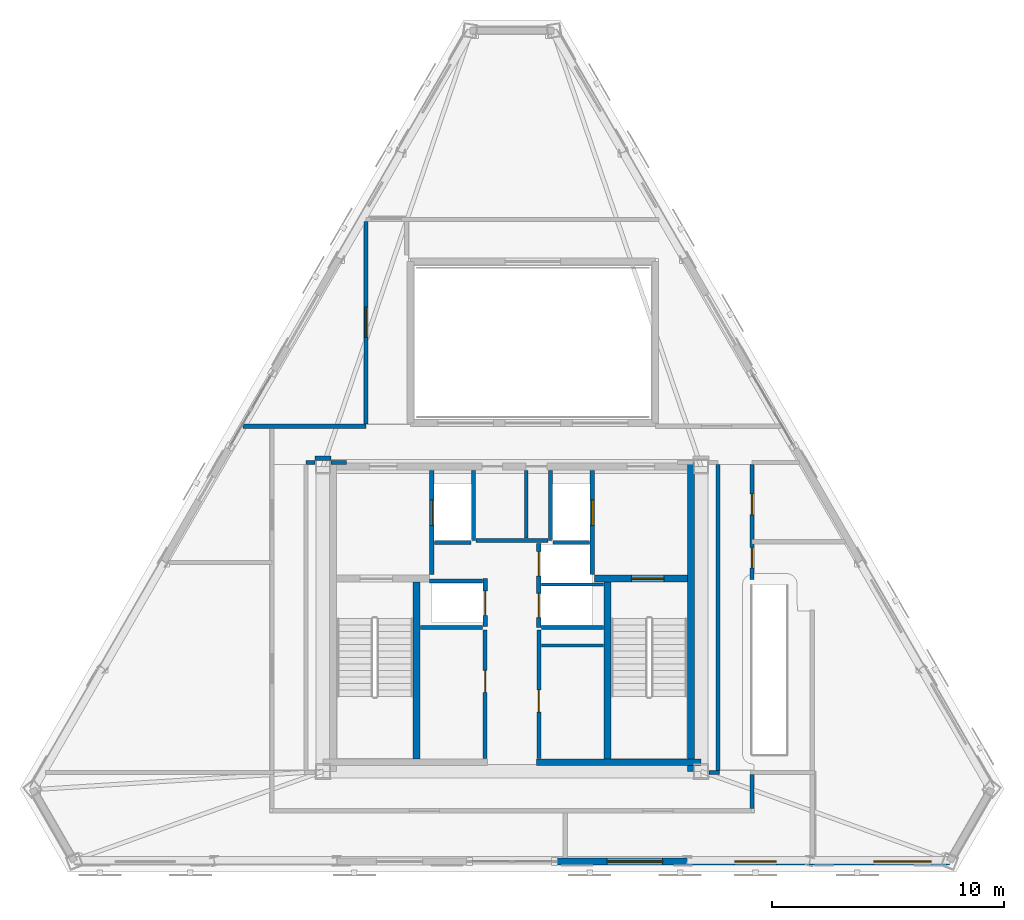
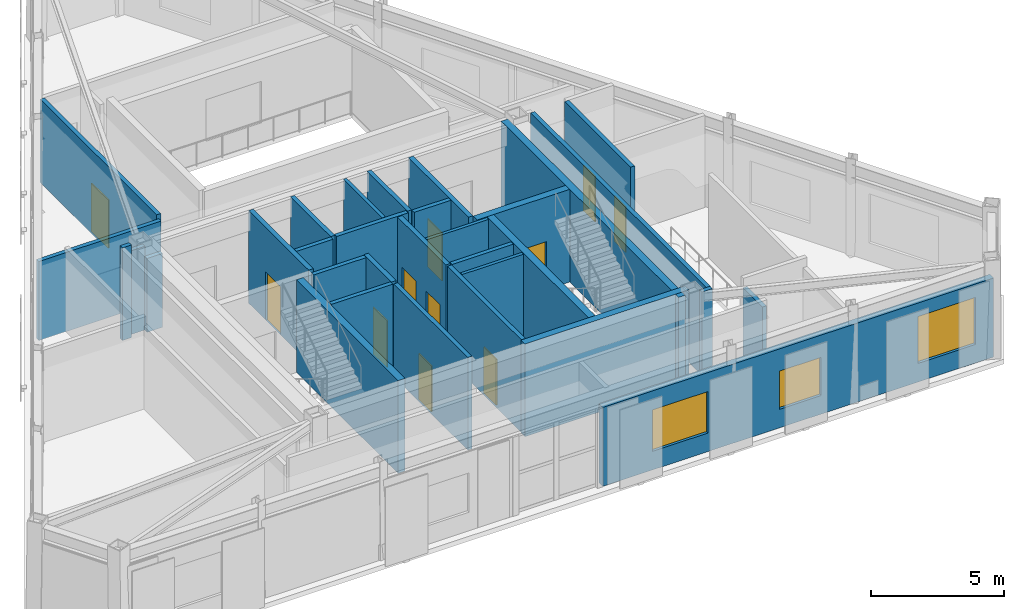
# One storey, part 9 of 14: 32 walls, 11 doors, 3 windows, 14 openings.
"""IFC4 building model written with IfcOpenShell, lengths in metres."""

from ifc_helpers import new_model, si_unit, direction, frame, frame_2d, origin, place, context, subcontext, project, spatial, rectangle, extrude, material, layer, layer_set, type_object, element, fill, save


model = new_model("IFC4")

# Units and contexts
model_context = context("Model", 3, precision=1e-05, world=origin(), true_north=direction((0.0, 1.0)))
body_context = subcontext(model_context, "Body", "Model", "MODEL_VIEW")
ifc_project = project(units=[si_unit("LENGTHUNIT", "METRE"), si_unit("AREAUNIT", "SQUARE_METRE"), si_unit("VOLUMEUNIT", "CUBIC_METRE"), si_unit("PLANEANGLEUNIT", "RADIAN"), si_unit("MASSUNIT", "GRAM", prefix="KILO")], contexts=[model_context])

# Site, building, storey
site_placement = place(None, origin())
site = spatial("IfcSite", under=ifc_project, at=site_placement, CompositionType="ELEMENT")
building_placement = place(site_placement, origin())
building = spatial("IfcBuilding", under=site, at=building_placement, Name="Oramaril Tower", CompositionType="ELEMENT")
storey_placement = place(building_placement, frame((0.0, 0.0, 309.60009765625)))
storey = spatial("IfcBuildingStorey", under=building, at=storey_placement, Name="L81", CompositionType="ELEMENT", Elevation=309.60009765625)

# Wall, openings, windows
ifc_material_1 = material(Name="Warm Cream Limestone", Category="masonry")
ifc_layer_1 = layer(ifc_material_1, 0.2900390625)
ifc_layer_set_1 = layer_set([ifc_layer_1], Name="WT-EXT29")
wall_type_1 = type_object("IfcWallType", Name="WT-EXT29", PredefinedType="SOLIDWALL", material=ifc_layer_set_1)
wall_1_placement = place(storey_placement, frame((39.449951171875, 7.109130859375, 0.0), z_axis=(0.0, 0.0, 1.0), x_axis=(1.0, 0.0, 0.0)))
wall_1 = element("IfcWall", 1, at=wall_1_placement, inside=storey, type_object=wall_type_1, Name="L81 Tower Limestone Facade Wall 2R", PredefinedType="SOLIDWALL", context=body_context, shape_type="SweptSolid", body=[
    extrude(rectangle(XDim=16.921630859375, YDim=0.2900390625, at=frame_2d((8.4609375, 0.0))), origin(), (0.0, 0.0, 1.0), 3.617919921875),
])
opening_1_placement = place(wall_1_placement, frame((2.150390625, 0.0, 0.85009765625)))
opening_1 = element("IfcOpeningElement", 2, at=opening_1_placement, cuts=wall_1, Name="Opening WN-03", PredefinedType="OPENING", context=body_context, shape_type="SweptSolid", body=[
    extrude(rectangle(XDim=2.39990234375, YDim=1.89990234375, at=frame_2d((1.199951171875, 0.949951171875))), frame((0.0, 0.14501953125, 0.0), z_axis=(0.0, -1.0, 0.0), x_axis=(1.0, 0.0, 0.0)), (0.0, 0.0, 1.0), 0.2900390625),
])
opening_2_placement = place(wall_1_placement, frame((7.6513671875, 0.0, 0.85009765625)))
opening_2 = element("IfcOpeningElement", 3, at=opening_2_placement, cuts=wall_1, Name="Opening WN-06", PredefinedType="OPENING", context=body_context, shape_type="SweptSolid", body=[
    extrude(rectangle(XDim=1.800048828125, YDim=1.75, at=frame_2d((0.89990234375, 0.875))), frame((0.0, 0.14501953125, 0.0), z_axis=(0.0, -1.0, 0.0), x_axis=(1.0, 0.0, 0.0)), (0.0, 0.0, 1.0), 0.2900390625),
])
opening_3_placement = place(wall_1_placement, frame((13.640625, 0.0, 0.85009765625)))
opening_3 = element("IfcOpeningElement", 4, at=opening_3_placement, cuts=wall_1, Name="Opening WN-11", PredefinedType="OPENING", context=body_context, shape_type="SweptSolid", body=[
    extrude(rectangle(XDim=2.5, YDim=2.14990234375, at=frame_2d((1.25, 1.074951171875))), frame((0.0, 0.14501953125, 0.0), z_axis=(0.0, -1.0, 0.0), x_axis=(1.0, 0.0, 0.0)), (0.0, 0.0, 1.0), 0.2900390625),
])
ifc_material_2 = material(Name="Coastal Low-E Insulated Glass", Category="glass")
window_type_1 = type_object("IfcWindowType", Name="WNT-03", PartitioningType="SINGLE_PANEL", PredefinedType="WINDOW", material=ifc_material_2)
window_1_placement = place(opening_1_placement, origin())
window_1 = element("IfcWindow", 5, at=window_1_placement, inside=storey, type_object=window_type_1, Name="L81 Chicago Bay Window WN-03", OverallHeight=1.89990234375, OverallWidth=2.39990234375, PartitioningType="SINGLE_PANEL", PredefinedType="WINDOW", context=body_context, shape_type="SweptSolid", body=[
    extrude(rectangle(XDim=2.39990234375, YDim=1.89990234375, at=frame_2d((1.199951171875, 0.949951171875))), frame((0.0, 0.030029296875, 0.0), z_axis=(0.0, -1.0, 0.0), x_axis=(1.0, 0.0, 0.0)), (0.0, 0.0, 1.0), 0.06005859375),
])
fill(opening_1, window_1)
ifc_material_3 = material(Name="Coastal Low-E Insulated Glass", Category="glass")
window_type_2 = type_object("IfcWindowType", Name="WNT-06", PartitioningType="SINGLE_PANEL", PredefinedType="WINDOW", material=ifc_material_3)
window_2_placement = place(opening_2_placement, origin())
window_2 = element("IfcWindow", 6, at=window_2_placement, inside=storey, type_object=window_type_2, Name="L81 Chicago Bay Window WN-06", OverallHeight=1.75, OverallWidth=1.800048828125, PartitioningType="SINGLE_PANEL", PredefinedType="WINDOW", context=body_context, shape_type="SweptSolid", body=[
    extrude(rectangle(XDim=1.800048828125, YDim=1.75, at=frame_2d((0.89990234375, 0.875))), frame((0.0, 0.030029296875, 0.0), z_axis=(0.0, -1.0, 0.0), x_axis=(1.0, 0.0, 0.0)), (0.0, 0.0, 1.0), 0.06005859375),
])
fill(opening_2, window_2)
ifc_material_4 = material(Name="Coastal Low-E Insulated Glass", Category="glass")
window_type_3 = type_object("IfcWindowType", Name="WNT-11", PartitioningType="SINGLE_PANEL", PredefinedType="WINDOW", material=ifc_material_4)
window_3_placement = place(opening_3_placement, origin())
window_3 = element("IfcWindow", 7, at=window_3_placement, inside=storey, type_object=window_type_3, Name="L81 Chicago Bay Window WN-11", OverallHeight=2.14990234375, OverallWidth=2.5, PartitioningType="SINGLE_PANEL", PredefinedType="WINDOW", context=body_context, shape_type="SweptSolid", body=[
    extrude(rectangle(XDim=2.5, YDim=2.14990234375, at=frame_2d((1.25, 1.074951171875))), frame((0.0, 0.030029296875, 0.0), z_axis=(0.0, -1.0, 0.0), x_axis=(1.0, 0.0, 0.0)), (0.0, 0.0, 1.0), 0.06005859375),
])
fill(opening_3, window_3)

# Walls
ifc_material_5 = material(Name="Acoustic Gypsum Board Partition")
ifc_layer_2 = layer(ifc_material_5, 0.139892578125)
ifc_layer_set_2 = layer_set([ifc_layer_2], Name="WT-PT14")
wall_type_2 = type_object("IfcWallType", Name="WT-PT14", PredefinedType="PARTITIONING", material=ifc_layer_set_2)
for number, where, z_axis, x_axis, name in (
    (8, (38.780029296875, 19.050048828125, 0.0), (0.0, 0.0, 1.0), (1.0, 0.0, 0.0), "L81 High-Rise Lift H2-H3 Divider"),
    (9, (38.780029296875, 16.419921875, 0.0), (0.0, 0.0, 1.0), (1.0, 0.0, 0.0), "L81 Freed Shaft North Closure"),
):
    element("IfcWall", number, at=place(storey_placement, frame(where, z_axis=z_axis, x_axis=x_axis)), inside=storey, type_object=wall_type_2, Name=name, PredefinedType="PARTITIONING", context=body_context, shape_type="SweptSolid", body=[
        extrude(rectangle(XDim=2.659912109375, YDim=0.139892578125, at=frame_2d((1.330078125, 0.0))), origin(), (0.0, 0.0, 1.0), 4.239990234375),
    ])
wall_2_placement = place(storey_placement, frame((38.110107421875, 21.06005859375, 0.0), z_axis=(0.0, 0.0, 1.0), x_axis=(0.0, 1.0, 0.0)))
element("IfcWall", 10, at=wall_2_placement, inside=storey, type_object=wall_type_2, Name="L81 Core Service Divider", PredefinedType="PARTITIONING", context=body_context, shape_type="SweptSolid", body=[
    extrude(rectangle(XDim=2.919921875, YDim=0.139892578125, at=frame_2d((1.4599609375, 0.0))), origin(), (0.0, 0.0, 1.0), 4.239990234375),
])
ifc_material_6 = material(Name="Autoclaved Cellular Concrete Block", Category="concrete")
ifc_layer_3 = layer(ifc_material_6, 0.179931640625)
ifc_layer_set_3 = layer_set([ifc_layer_3], Name="WT-PT18")
wall_type_3 = type_object("IfcWallType", Name="WT-PT18", PredefinedType="PARTITIONING", material=ifc_layer_set_3)
wall_3_placement = place(storey_placement, frame((35.840087890625, 20.9599609375, 0.0), z_axis=(0.0, 0.0, 1.0), x_axis=(0.0, 1.0, 0.0)))
element("IfcWall", 11, at=wall_3_placement, inside=storey, type_object=wall_type_3, Name="L81 FL-1 East Shaft Wall", PredefinedType="PARTITIONING", context=body_context, shape_type="SweptSolid", body=[
    extrude(rectangle(XDim=3.02001953125, YDim=0.179931640625, at=frame_2d((1.510009765625, 0.0))), origin(), (0.0, 0.0, 1.0), 4.239990234375),
])
wall_4_placement = place(storey_placement, frame((34.159912109375, 20.860107421875, 0.0), z_axis=(0.0, 0.0, 1.0), x_axis=(1.0, 0.0, 0.0)))
element("IfcWall", 12, at=wall_4_placement, inside=storey, type_object=wall_type_3, Name="L81 FL-1 South Shaft Wall", PredefinedType="PARTITIONING", context=body_context, shape_type="SweptSolid", body=[
    extrude(rectangle(XDim=1.580078125, YDim=0.179931640625, at=frame_2d((0.7900390625, 0.0))), origin(), (0.0, 0.0, 1.0), 4.239990234375),
])
wall_5_placement = place(storey_placement, frame((39.159912109375, 20.9599609375, 0.0), z_axis=(0.0, 0.0, 1.0), x_axis=(0.0, 1.0, 0.0)))
element("IfcWall", 13, at=wall_5_placement, inside=storey, type_object=wall_type_3, Name="L81 FL-2 West Shaft Wall", PredefinedType="PARTITIONING", context=body_context, shape_type="SweptSolid", body=[
    extrude(rectangle(XDim=3.02001953125, YDim=0.179931640625, at=frame_2d((1.510009765625, 0.0))), origin(), (0.0, 0.0, 1.0), 4.239990234375),
])
wall_6_placement = place(storey_placement, frame((39.260009765625, 20.860107421875, 0.0), z_axis=(0.0, 0.0, 1.0), x_axis=(1.0, 0.0, 0.0)))
element("IfcWall", 14, at=wall_6_placement, inside=storey, type_object=wall_type_3, Name="L81 FL-2 South Shaft Wall", PredefinedType="PARTITIONING", context=body_context, shape_type="SweptSolid", body=[
    extrude(rectangle(XDim=1.580078125, YDim=0.179931640625, at=frame_2d((0.7900390625, 0.0))), origin(), (0.0, 0.0, 1.0), 4.239990234375),
])
wall_7_placement = place(storey_placement, frame((33.949951171875, 19.199951171875, 0.0), z_axis=(0.0, 0.0, 1.0), x_axis=(1.0, 0.0, 0.0)))
element("IfcWall", 15, at=wall_7_placement, inside=storey, type_object=wall_type_3, Name="L81 High-Rise Lift H1 North Shaft Wall", PredefinedType="PARTITIONING", context=body_context, shape_type="SweptSolid", body=[
    extrude(rectangle(XDim=2.27001953125, YDim=0.179931640625, at=frame_2d((1.135009765625, 0.0))), origin(), (0.0, 0.0, 1.0), 4.239990234375),
])
wall_8_placement = place(storey_placement, frame((33.56005859375, 17.199951171875, 0.0), z_axis=(0.0, 0.0, 1.0), x_axis=(1.0, 0.0, 0.0)))
element("IfcWall", 16, at=wall_8_placement, inside=storey, type_object=wall_type_3, Name="L81 High-Rise Lift H1 South Wall", PredefinedType="PARTITIONING", context=body_context, shape_type="SweptSolid", body=[
    extrude(rectangle(XDim=2.659912109375, YDim=0.179931640625, at=frame_2d((1.330078125, 0.0))), origin(), (0.0, 0.0, 1.0), 4.239990234375),
])

# Wall, opening, door
wall_9_placement = place(storey_placement, frame((36.340087890625, 11.550048828125, 0.0), z_axis=(0.0, 0.0, 1.0), x_axis=(0.0, 1.0, 0.0)))
wall_9 = element("IfcWall", 17, at=wall_9_placement, inside=storey, type_object=wall_type_3, Name="L81 Freed Shaft Study East Wall", PredefinedType="PARTITIONING", context=body_context, shape_type="SweptSolid", body=[
    extrude(rectangle(XDim=5.550048828125, YDim=0.179931640625, at=frame_2d((2.77490234375, 0.0))), origin(), (0.0, 0.0, 1.0), 4.239990234375),
])
opening_4_placement = place(wall_9_placement, frame((2.85009765625, 0.0, 0.0)))
opening_4 = element("IfcOpeningElement", 18, at=opening_4_placement, cuts=wall_9, Name="Opening D-L81-FL1", PredefinedType="OPENING", context=body_context, shape_type="SweptSolid", body=[
    extrude(rectangle(XDim=0.949951171875, YDim=2.10009765625, at=frame_2d((0.47509765625, 1.050048828125))), frame((0.0, 0.08984375, 0.0), z_axis=(0.0, -1.0, 0.0), x_axis=(1.0, 0.0, 0.0)), (0.0, 0.0, 1.0), 0.179931640625),
])
ifc_material_7 = material(Name="FSC Brazilian Freijo Hardwood", Category="wood")
door_type_1 = type_object("IfcDoorType", Name="DT-STDY", OperationType="NOTDEFINED", PredefinedType="DOOR", material=ifc_material_7)
door_1_placement = place(opening_4_placement, origin())
door_1 = element("IfcDoor", 19, at=door_1_placement, inside=storey, type_object=door_type_1, Name="L81 L81 Observatory Archive Room Door", OperationType="SINGLE_SWING_LEFT", OverallHeight=2.10009765625, OverallWidth=0.949951171875, PredefinedType="DOOR", context=body_context, shape_type="SweptSolid", body=[
    extrude(rectangle(XDim=0.949951171875, YDim=2.10009765625, at=frame_2d((0.47509765625, 1.050048828125))), frame((0.0, 0.02490234375, 0.0), z_axis=(0.0, -1.0, 0.0), x_axis=(1.0, 0.0, 0.0)), (0.0, 0.0, 1.0), 0.050048828125),
])
fill(opening_4, door_1)

# Wall
wall_10_placement = place(storey_placement, frame((38.780029296875, 17.199951171875, 0.0), z_axis=(0.0, 0.0, 1.0), x_axis=(1.0, 0.0, 0.0)))
element("IfcWall", 20, at=wall_10_placement, inside=storey, type_object=wall_type_3, Name="L81 High-Rise Lift H2 South Wall", PredefinedType="PARTITIONING", context=body_context, shape_type="SweptSolid", body=[
    extrude(rectangle(XDim=2.659912109375, YDim=0.179931640625, at=frame_2d((1.330078125, 0.0))), origin(), (0.0, 0.0, 1.0), 4.239990234375),
])

# Wall, opening, door
wall_11_placement = place(storey_placement, frame((38.659912109375, 11.550048828125, 0.0), z_axis=(0.0, 0.0, 1.0), x_axis=(0.0, 1.0, 0.0)))
wall_11 = element("IfcWall", 21, at=wall_11_placement, inside=storey, type_object=wall_type_3, Name="L81 Freed Shaft Alcove West Wall", PredefinedType="PARTITIONING", context=body_context, shape_type="SweptSolid", body=[
    extrude(rectangle(XDim=5.550048828125, YDim=0.179931640625, at=frame_2d((2.77490234375, 0.0))), origin(), (0.0, 0.0, 1.0), 4.239990234375),
])
opening_5_placement = place(wall_11_placement, frame((2.0, 0.0, 0.0)))
opening_5 = element("IfcOpeningElement", 22, at=opening_5_placement, cuts=wall_11, Name="Opening D-L81-FM1", PredefinedType="OPENING", context=body_context, shape_type="SweptSolid", body=[
    extrude(rectangle(XDim=0.949951171875, YDim=2.10009765625, at=frame_2d((0.47509765625, 1.050048828125))), frame((0.0, 0.08984375, 0.0), z_axis=(0.0, -1.0, 0.0), x_axis=(1.0, 0.0, 0.0)), (0.0, 0.0, 1.0), 0.179931640625),
])
door_2_placement = place(opening_5_placement, origin())
door_2 = element("IfcDoor", 23, at=door_2_placement, inside=storey, type_object=door_type_1, Name="L81 L81 Atmospheric Telemetry Office Door", OperationType="SINGLE_SWING_RIGHT", OverallHeight=2.10009765625, OverallWidth=0.949951171875, PredefinedType="DOOR", context=body_context, shape_type="SweptSolid", body=[
    extrude(rectangle(XDim=0.949951171875, YDim=2.10009765625, at=frame_2d((0.47509765625, 1.050048828125))), frame((0.0, 0.02490234375, 0.0), z_axis=(0.0, -1.0, 0.0), x_axis=(1.0, 0.0, 0.0)), (0.0, 0.0, 1.0), 0.050048828125),
])
fill(opening_5, door_2)

# Walls
wall_12_placement = place(storey_placement, frame((35.949951171875, 20.949951171875, 0.0), z_axis=(0.0, 0.0, 1.0), x_axis=(1.0, 0.0, 0.0)))
element("IfcWall", 24, at=wall_12_placement, inside=storey, type_object=wall_type_3, Name="L81 Lift Lobby North Partition", PredefinedType="PARTITIONING", context=body_context, shape_type="SweptSolid", body=[
    extrude(rectangle(XDim=3.10009765625, YDim=0.179931640625, at=frame_2d((1.550048828125, 0.0))), origin(), (0.0, 0.0, 1.0), 4.239990234375),
])
wall_13_placement = place(storey_placement, frame((45.989990234375, 10.949951171875, 0.0), z_axis=(0.0, 0.0, 1.0), x_axis=(1.0, 0.0, 0.0)))
element("IfcWall", 25, at=wall_13_placement, inside=storey, type_object=wall_type_3, Name="L81 Interior Partition PT-18", PredefinedType="PARTITIONING", context=body_context, shape_type="SweptSolid", body=[
    extrude(rectangle(XDim=0.449951171875, YDim=0.179931640625, at=frame_2d((0.22509765625, 0.0))), origin(), (0.0, 0.0, 1.0), 4.239990234375),
])
wall_14_placement = place(storey_placement, frame((28.6201171875, 24.320068359375, 0.0), z_axis=(0.0, 0.0, 1.0), x_axis=(1.0, 0.0, 0.0)))
element("IfcWall", 26, at=wall_14_placement, inside=storey, type_object=wall_type_3, Name="L81 Interior Partition PT-18", PredefinedType="PARTITIONING", context=body_context, shape_type="SweptSolid", body=[
    extrude(rectangle(XDim=0.389892578125, YDim=0.179931640625, at=frame_2d((0.19482421875, 0.0))), origin(), (0.0, 0.0, 1.0), 4.239990234375),
])
wall_15_placement = place(storey_placement, frame((29.68994140625, 24.320068359375, 0.0), z_axis=(0.0, 0.0, 1.0), x_axis=(1.0, 0.0, 0.0)))
element("IfcWall", 27, at=wall_15_placement, inside=storey, type_object=wall_type_3, Name="L81 Interior Partition PT-18", PredefinedType="PARTITIONING", context=body_context, shape_type="SweptSolid", body=[
    extrude(rectangle(XDim=0.6650390625, YDim=0.179931640625, at=frame_2d((0.33251953125, 0.0))), origin(), (0.0, 0.0, 1.0), 3.3798828125),
])
wall_16_placement = place(storey_placement, frame((29.0048828125, 24.5, 0.0), z_axis=(0.0, 0.0, 1.0), x_axis=(1.0, 0.0, 0.0)))
element("IfcWall", 28, at=wall_16_placement, inside=storey, type_object=wall_type_3, Name="L81 Interior Partition PT-18", PredefinedType="PARTITIONING", context=body_context, shape_type="SweptSolid", body=[
    extrude(rectangle(XDim=0.690185546875, YDim=0.179931640625, at=frame_2d((0.34521484375, 0.0))), origin(), (0.0, 0.0, 1.0), 3.825927734375),
])
wall_17_placement = place(storey_placement, frame((25.900390625, 25.8798828125, 0.0), z_axis=(0.0, 0.0, 1.0), x_axis=(1.0, 0.0, 0.0)))
element("IfcWall", 29, at=wall_17_placement, inside=storey, type_object=wall_type_3, Name="L81 Interior Partition PT-18", PredefinedType="PARTITIONING", context=body_context, shape_type="SweptSolid", body=[
    extrude(rectangle(XDim=5.299560546875, YDim=0.179931640625, at=frame_2d((2.64990234375, 0.0))), origin(), (0.0, 0.0, 1.0), 3.617919921875),
])

# Wall, opening, door
wall_18_placement = place(storey_placement, frame((31.199951171875, 25.97412109375, 0.0), z_axis=(0.0, 0.0, 1.0), x_axis=(0.0, 1.0, 0.0)))
wall_18 = element("IfcWall", 30, at=wall_18_placement, inside=storey, type_object=wall_type_3, Name="L81 Interior Partition PT-18", PredefinedType="PARTITIONING", context=body_context, shape_type="SweptSolid", body=[
    extrude(rectangle(XDim=8.73193359375, YDim=0.179931640625, at=frame_2d((4.365966796875, 0.0))), origin(), (0.0, 0.0, 1.0), 3.825927734375),
])
opening_6_placement = place(wall_18_placement, frame((3.740966796875, 0.0, 0.0)))
opening_6 = element("IfcOpeningElement", 31, at=opening_6_placement, cuts=wall_18, Name="Opening D-L81-07", PredefinedType="OPENING", context=body_context, shape_type="SweptSolid", body=[
    extrude(rectangle(XDim=1.300048828125, YDim=2.199951171875, at=frame_2d((0.64990234375, 1.10009765625))), frame((0.0, 0.08984375, 0.0), z_axis=(0.0, -1.0, 0.0), x_axis=(1.0, 0.0, 0.0)), (0.0, 0.0, 1.0), 0.179931640625),
])
ifc_material_8 = material(Name="FSC Brazilian Freijo Hardwood", Category="wood")
door_type_2 = type_object("IfcDoorType", Name="DT-COM", OperationType="NOTDEFINED", PredefinedType="DOOR", material=ifc_material_8)
door_3_placement = place(opening_6_placement, origin())
door_3 = element("IfcDoor", 32, at=door_3_placement, inside=storey, type_object=door_type_2, Name="L81 L81 West Portal Viewing Lounge Door D-L81-07", OperationType="SINGLE_SWING_LEFT", OverallHeight=2.199951171875, OverallWidth=1.300048828125, PredefinedType="DOOR", context=body_context, shape_type="SweptSolid", body=[
    extrude(rectangle(XDim=1.300048828125, YDim=2.199951171875, at=frame_2d((0.64990234375, 1.10009765625))), frame((0.0, 0.02490234375, 0.0), z_axis=(0.0, -1.0, 0.0), x_axis=(1.0, 0.0, 0.0)), (0.0, 0.0, 1.0), 0.050048828125),
])
fill(opening_6, door_3)

# Walls
wall_19_placement = place(storey_placement, frame((46.3798828125, 11.0439453125, 0.0), z_axis=(0.0, 0.0, 1.0), x_axis=(0.0, 1.0, 0.0)))
element("IfcWall", 33, at=wall_19_placement, inside=storey, type_object=wall_type_3, Name="L81 Interior Partition PT-18", PredefinedType="PARTITIONING", context=body_context, shape_type="SweptSolid", body=[
    extrude(rectangle(XDim=13.18212890625, YDim=0.179931640625, at=frame_2d((6.591064453125, 0.0))), origin(), (0.0, 0.0, 1.0), 4.239990234375),
])
wall_20_placement = place(storey_placement, frame((47.85009765625, 9.39404296875, 0.0), z_axis=(0.0, 0.0, 1.0), x_axis=(0.0, 1.0, 0.0)))
element("IfcWall", 34, at=wall_20_placement, inside=storey, type_object=wall_type_3, Name="L81 Interior Partition PT-18", PredefinedType="PARTITIONING", context=body_context, shape_type="SweptSolid", body=[
    extrude(rectangle(XDim=1.4619140625, YDim=0.179931640625, at=frame_2d((0.73095703125, 0.0))), origin(), (0.0, 0.0, 1.0), 3.825927734375),
])

# Wall, openings, doors
wall_21_placement = place(storey_placement, frame((47.85009765625, 19.267822265625, 0.0), z_axis=(0.0, 0.0, 1.0), x_axis=(0.0, 1.0, 0.0)))
wall_21 = element("IfcWall", 35, at=wall_21_placement, inside=storey, type_object=wall_type_3, Name="L81 Interior Partition PT-18", PredefinedType="PARTITIONING", context=body_context, shape_type="SweptSolid", body=[
    extrude(rectangle(XDim=4.958251953125, YDim=0.179931640625, at=frame_2d((2.47900390625, 0.0))), origin(), (0.0, 0.0, 1.0), 4.239990234375),
])
opening_7_placement = place(wall_21_placement, frame((0.50048828125, 0.0, 0.0)))
opening_7 = element("IfcOpeningElement", 36, at=opening_7_placement, cuts=wall_21, Name="Opening D-L81-08", PredefinedType="OPENING", context=body_context, shape_type="SweptSolid", body=[
    extrude(rectangle(XDim=0.8798828125, YDim=2.080078125, at=frame_2d((0.43994140625, 1.0400390625))), frame((0.0, 0.08984375, 0.0), z_axis=(0.0, -1.0, 0.0), x_axis=(1.0, 0.0, 0.0)), (0.0, 0.0, 1.0), 0.179931640625),
])
opening_8_placement = place(wall_21_placement, frame((2.802978515625, 0.0, 0.0)))
opening_8 = element("IfcOpeningElement", 37, at=opening_8_placement, cuts=wall_21, Name="Opening D-L81-09", PredefinedType="OPENING", context=body_context, shape_type="SweptSolid", body=[
    extrude(rectangle(XDim=0.8798828125, YDim=2.080078125, at=frame_2d((0.43994140625, 1.0400390625))), frame((0.0, 0.08984375, 0.0), z_axis=(0.0, -1.0, 0.0), x_axis=(1.0, 0.0, 0.0)), (0.0, 0.0, 1.0), 0.179931640625),
])
ifc_material_9 = material(Name="FSC Brazilian Freijo Hardwood", Category="wood")
door_type_3 = type_object("IfcDoorType", Name="DT-BATH", OperationType="NOTDEFINED", PredefinedType="DOOR", material=ifc_material_9)
door_4_placement = place(opening_7_placement, origin())
door_4 = element("IfcDoor", 38, at=door_4_placement, inside=storey, type_object=door_type_3, Name="L81 L81 Crown Exhibition Gallery Door D-L81-08", OperationType="SINGLE_SWING_RIGHT", OverallHeight=2.080078125, OverallWidth=0.8798828125, PredefinedType="DOOR", context=body_context, shape_type="SweptSolid", body=[
    extrude(rectangle(XDim=0.8798828125, YDim=2.080078125, at=frame_2d((0.43994140625, 1.0400390625))), frame((0.0, 0.02490234375, 0.0), z_axis=(0.0, -1.0, 0.0), x_axis=(1.0, 0.0, 0.0)), (0.0, 0.0, 1.0), 0.050048828125),
])
fill(opening_7, door_4)
door_5_placement = place(opening_8_placement, origin())
door_5 = element("IfcDoor", 39, at=door_5_placement, inside=storey, type_object=door_type_3, Name="L81 L81 Observatory Washroom WC Door D-L81-09", OperationType="SINGLE_SWING_LEFT", OverallHeight=2.080078125, OverallWidth=0.8798828125, PredefinedType="DOOR", context=body_context, shape_type="SweptSolid", body=[
    extrude(rectangle(XDim=0.8798828125, YDim=2.080078125, at=frame_2d((0.43994140625, 1.0400390625))), frame((0.0, 0.02490234375, 0.0), z_axis=(0.0, -1.0, 0.0), x_axis=(1.0, 0.0, 0.0)), (0.0, 0.0, 1.0), 0.050048828125),
])
fill(opening_8, door_5)

# Walls
ifc_material_10 = material(Name="Concrete C50/60", Category="concrete")
ifc_layer_4 = layer(ifc_material_10, 0.300048828125)
ifc_layer_set_4 = layer_set([ifc_layer_4], Name="WT-SH30")
wall_type_4 = type_object("IfcWallType", Name="WT-SH30", PredefinedType="SHEAR", material=ifc_layer_set_4)
wall_22_placement = place(storey_placement, frame((45.2099609375, 11.0, 0.0), z_axis=(0.0, 0.0, 1.0), x_axis=(0.0, 1.0, 0.0)))
element("IfcWall", 40, at=wall_22_placement, inside=storey, type_object=wall_type_4, Name="L81 Core Shear Wall CW-E", PredefinedType="SHEAR", context=body_context, shape_type="SweptSolid", body=[
    extrude(rectangle(XDim=13.300048828125, YDim=0.300048828125, at=frame_2d((6.64990234375, 0.0))), origin(), (0.0, 0.0, 1.0), 4.239990234375),
])
wall_23_placement = place(storey_placement, frame((38.550048828125, 11.389892578125, 0.0), z_axis=(0.0, 0.0, 1.0), x_axis=(1.0, 0.0, 0.0)))
element("IfcWall", 41, at=wall_23_placement, inside=storey, type_object=wall_type_4, Name="L81 Core Shear Wall CW-SE", PredefinedType="SHEAR", context=body_context, shape_type="SweptSolid", body=[
    extrude(rectangle(XDim=7.099853515625, YDim=0.300048828125, at=frame_2d((3.5498046875, 0.0))), origin(), (0.0, 0.0, 1.0), 4.239990234375),
])

# Wall, opening, door
wall_24_placement = place(storey_placement, frame((41.050048828125, 19.31005859375, 0.0), z_axis=(0.0, 0.0, 1.0), x_axis=(1.0, 0.0, 0.0)))
wall_24 = element("IfcWall", 42, at=wall_24_placement, inside=storey, type_object=wall_type_4, Name="L81 Core Shear Wall CW-ST2N", PredefinedType="SHEAR", context=body_context, shape_type="SweptSolid", body=[
    extrude(rectangle(XDim=4.010009765625, YDim=0.300048828125, at=frame_2d((2.0048828125, 0.0))), origin(), (0.0, 0.0, 1.0), 4.239990234375),
])
opening_9_placement = place(wall_24_placement, frame((1.60009765625, 0.0, 0.0)))
opening_9 = element("IfcOpeningElement", 43, at=opening_9_placement, cuts=wall_24, Name="Opening D-L81-ST2", PredefinedType="OPENING", context=body_context, shape_type="SweptSolid", body=[
    extrude(rectangle(XDim=1.39990234375, YDim=2.199951171875, at=frame_2d((0.699951171875, 1.10009765625))), frame((0.0, 0.14990234375, 0.0), z_axis=(0.0, -1.0, 0.0), x_axis=(1.0, 0.0, 0.0)), (0.0, 0.0, 1.0), 0.300048828125),
])
ifc_material_11 = material(Name="Painted Galvanised Steel", Category="steel")
door_type_4 = type_object("IfcDoorType", Name="DT-ST", OperationType="NOTDEFINED", PredefinedType="DOOR", material=ifc_material_11)
door_6_placement = place(opening_9_placement, origin())
door_6 = element("IfcDoor", 44, at=door_6_placement, inside=storey, type_object=door_type_4, Name="L81 Protected Stair ST-2 Fire Door", OperationType="SINGLE_SWING_RIGHT", OverallHeight=2.199951171875, OverallWidth=1.39990234375, PredefinedType="DOOR", context=body_context, shape_type="SweptSolid", body=[
    extrude(rectangle(XDim=1.39990234375, YDim=2.199951171875, at=frame_2d((0.699951171875, 1.10009765625))), frame((0.0, 0.02490234375, 0.0), z_axis=(0.0, -1.0, 0.0), x_axis=(1.0, 0.0, 0.0)), (0.0, 0.0, 1.0), 0.050048828125),
])
fill(opening_9, door_6)

# Walls
for number, where, z_axis, x_axis, name in (
    (45, (33.3798828125, 11.5400390625, 0.0), (0.0, 0.0, 1.0), (0.0, 1.0, 0.0), "L81 Core Shear Wall CW-ST1E"),
    (46, (41.6201171875, 11.5400390625, 0.0), (0.0, 0.0, 1.0), (0.0, 1.0, 0.0), "L81 Core Shear Wall CW-ST2W"),
):
    element("IfcWall", number, at=place(storey_placement, frame(where, z_axis=z_axis, x_axis=x_axis)), inside=storey, type_object=wall_type_4, Name=name, PredefinedType="SHEAR", context=body_context, shape_type="SweptSolid", body=[
        extrude(rectangle(XDim=7.619873046875, YDim=0.300048828125, at=frame_2d((3.81005859375, 0.0))), origin(), (0.0, 0.0, 1.0), 4.239990234375),
    ])

# Wall, opening, door
ifc_material_12 = material(Name="Autoclaved Cellular Concrete Block", Category="concrete")
ifc_layer_5 = layer(ifc_material_12, 0.199951171875)
ifc_layer_set_5 = layer_set([ifc_layer_5], Name="WT-SHF20")
wall_type_5 = type_object("IfcWallType", Name="WT-SHF20", PredefinedType="PARTITIONING", material=ifc_layer_set_5)
wall_25_placement = place(storey_placement, frame((34.0400390625, 19.47998046875, 0.0), z_axis=(0.0, 0.0, 1.0), x_axis=(0.0, 1.0, 0.0)))
wall_25 = element("IfcWall", 47, at=wall_25_placement, inside=storey, type_object=wall_type_5, Name="L81 FL-1 Lobby Shaft Wall", PredefinedType="PARTITIONING", context=body_context, shape_type="SweptSolid", body=[
    extrude(rectangle(XDim=4.5, YDim=0.199951171875, at=frame_2d((2.25, 0.0))), origin(), (0.0, 0.0, 1.0), 4.239990234375),
])
opening_10_placement = place(wall_25_placement, frame((2.1201171875, 0.0, 0.0)))
opening_10 = element("IfcOpeningElement", 48, at=opening_10_placement, cuts=wall_25, Name="Opening LD-L81-FL-1", PredefinedType="OPENING", context=body_context, shape_type="SweptSolid", body=[
    extrude(rectangle(XDim=1.10009765625, YDim=2.199951171875, at=frame_2d((0.550048828125, 1.10009765625))), frame((0.0, 0.10009765625, 0.0), z_axis=(0.0, -1.0, 0.0), x_axis=(1.0, 0.0, 0.0)), (0.0, 0.0, 1.0), 0.199951171875),
])
ifc_material_13 = material(Name="Stainless Steel 316L", Category="steel")
door_type_5 = type_object("IfcDoorType", Name="DT-LD1", OperationType="NOTDEFINED", PredefinedType="DOOR", material=ifc_material_13)
door_7_placement = place(opening_10_placement, origin())
door_7 = element("IfcDoor", 49, at=door_7_placement, inside=storey, type_object=door_type_5, Name="L81 Lift FL-1 Sliding Landing Door", OperationType="SLIDING_TO_LEFT", OverallHeight=2.199951171875, OverallWidth=1.10009765625, PredefinedType="DOOR", context=body_context, shape_type="SweptSolid", body=[
    extrude(rectangle(XDim=1.10009765625, YDim=2.199951171875, at=frame_2d((0.550048828125, 1.10009765625))), frame((0.0, 0.02490234375, 0.0), z_axis=(0.0, -1.0, 0.0), x_axis=(1.0, 0.0, 0.0)), (0.0, 0.0, 1.0), 0.050048828125),
])
fill(opening_10, door_7)

wall_26_placement = place(storey_placement, frame((40.9599609375, 19.47998046875, 0.0), z_axis=(0.0, 0.0, 1.0), x_axis=(0.0, 1.0, 0.0)))
wall_26 = element("IfcWall", 50, at=wall_26_placement, inside=storey, type_object=wall_type_5, Name="L81 FL-2 Lobby Shaft Wall", PredefinedType="PARTITIONING", context=body_context, shape_type="SweptSolid", body=[
    extrude(rectangle(XDim=4.5, YDim=0.199951171875, at=frame_2d((2.25, 0.0))), origin(), (0.0, 0.0, 1.0), 4.239990234375),
])
opening_11_placement = place(wall_26_placement, frame((2.1201171875, 0.0, 0.0)))
opening_11 = element("IfcOpeningElement", 51, at=opening_11_placement, cuts=wall_26, Name="Opening LD-L81-FL-2", PredefinedType="OPENING", context=body_context, shape_type="SweptSolid", body=[
    extrude(rectangle(XDim=1.10009765625, YDim=2.199951171875, at=frame_2d((0.550048828125, 1.10009765625))), frame((0.0, 0.10009765625, 0.0), z_axis=(0.0, -1.0, 0.0), x_axis=(1.0, 0.0, 0.0)), (0.0, 0.0, 1.0), 0.199951171875),
])
door_8_placement = place(opening_11_placement, origin())
door_8 = element("IfcDoor", 52, at=door_8_placement, inside=storey, type_object=door_type_5, Name="L81 Lift FL-2 Sliding Landing Door", OperationType="SLIDING_TO_RIGHT", OverallHeight=2.199951171875, OverallWidth=1.10009765625, PredefinedType="DOOR", context=body_context, shape_type="SweptSolid", body=[
    extrude(rectangle(XDim=1.10009765625, YDim=2.199951171875, at=frame_2d((0.550048828125, 1.10009765625))), frame((0.0, 0.02490234375, 0.0), z_axis=(0.0, -1.0, 0.0), x_axis=(1.0, 0.0, 0.0)), (0.0, 0.0, 1.0), 0.050048828125),
])
fill(opening_11, door_8)

wall_27_placement = place(storey_placement, frame((36.340087890625, 17.25, 0.0), z_axis=(0.0, 0.0, 1.0), x_axis=(0.0, 1.0, 0.0)))
wall_27 = element("IfcWall", 53, at=wall_27_placement, inside=storey, type_object=wall_type_5, Name="L81 High-Rise Lift H1 Front Wall", PredefinedType="PARTITIONING", context=body_context, shape_type="SweptSolid", body=[
    extrude(rectangle(XDim=2.070068359375, YDim=0.199951171875, at=frame_2d((1.03515625, 0.0))), origin(), (0.0, 0.0, 1.0), 4.239990234375),
])
opening_12_placement = place(wall_27_placement, frame((0.47509765625, 0.0, 0.0)))
opening_12 = element("IfcOpeningElement", 54, at=opening_12_placement, cuts=wall_27, Name="Opening LD-L81-LP-H1", PredefinedType="OPENING", context=body_context, shape_type="SweptSolid", body=[
    extrude(rectangle(XDim=1.050048828125, YDim=2.14990234375, at=frame_2d((0.52490234375, 1.074951171875))), frame((0.0, 0.10009765625, 0.0), z_axis=(0.0, -1.0, 0.0), x_axis=(1.0, 0.0, 0.0)), (0.0, 0.0, 1.0), 0.199951171875),
])
ifc_material_14 = material(Name="Stainless Steel 316L", Category="steel")
door_type_6 = type_object("IfcDoorType", Name="DT-LD2", OperationType="NOTDEFINED", PredefinedType="DOOR", material=ifc_material_14)
door_9_placement = place(opening_12_placement, origin())
door_9 = element("IfcDoor", 55, at=door_9_placement, inside=storey, type_object=door_type_6, Name="L81 Lift LP-H1 Sliding Landing Door", OperationType="SLIDING_TO_LEFT", OverallHeight=2.14990234375, OverallWidth=1.050048828125, PredefinedType="DOOR", context=body_context, shape_type="SweptSolid", body=[
    extrude(rectangle(XDim=1.050048828125, YDim=2.14990234375, at=frame_2d((0.52490234375, 1.074951171875))), frame((0.0, 0.02490234375, 0.0), z_axis=(0.0, -1.0, 0.0), x_axis=(1.0, 0.0, 0.0)), (0.0, 0.0, 1.0), 0.050048828125),
])
fill(opening_12, door_9)

# Wall, openings, doors
wall_28_placement = place(storey_placement, frame((38.659912109375, 17.199951171875, 0.0), z_axis=(0.0, 0.0, 1.0), x_axis=(0.0, 1.0, 0.0)))
wall_28 = element("IfcWall", 56, at=wall_28_placement, inside=storey, type_object=wall_type_5, Name="L81 High-Rise Lift H2-H3 Front Wall", PredefinedType="PARTITIONING", context=body_context, shape_type="SweptSolid", body=[
    extrude(rectangle(XDim=3.6201171875, YDim=0.199951171875, at=frame_2d((1.81005859375, 0.0))), origin(), (0.0, 0.0, 1.0), 4.239990234375),
])
opening_13_placement = place(wall_28_placement, frame((0.425048828125, 0.0, 0.0)))
opening_13 = element("IfcOpeningElement", 57, at=opening_13_placement, cuts=wall_28, Name="Opening LD-L81-LP-H2", PredefinedType="OPENING", context=body_context, shape_type="SweptSolid", body=[
    extrude(rectangle(XDim=1.050048828125, YDim=2.14990234375, at=frame_2d((0.52490234375, 1.074951171875))), frame((0.0, 0.10009765625, 0.0), z_axis=(0.0, -1.0, 0.0), x_axis=(1.0, 0.0, 0.0)), (0.0, 0.0, 1.0), 0.199951171875),
])
opening_14_placement = place(wall_28_placement, frame((2.22509765625, 0.0, 0.0)))
opening_14 = element("IfcOpeningElement", 58, at=opening_14_placement, cuts=wall_28, Name="Opening LD-L81-LP-H3", PredefinedType="OPENING", context=body_context, shape_type="SweptSolid", body=[
    extrude(rectangle(XDim=1.050048828125, YDim=2.14990234375, at=frame_2d((0.52490234375, 1.074951171875))), frame((0.0, 0.10009765625, 0.0), z_axis=(0.0, -1.0, 0.0), x_axis=(1.0, 0.0, 0.0)), (0.0, 0.0, 1.0), 0.199951171875),
])
door_10_placement = place(opening_13_placement, origin())
door_10 = element("IfcDoor", 59, at=door_10_placement, inside=storey, type_object=door_type_6, Name="L81 Lift LP-H2 Sliding Landing Door", OperationType="SLIDING_TO_RIGHT", OverallHeight=2.14990234375, OverallWidth=1.050048828125, PredefinedType="DOOR", context=body_context, shape_type="SweptSolid", body=[
    extrude(rectangle(XDim=1.050048828125, YDim=2.14990234375, at=frame_2d((0.52490234375, 1.074951171875))), frame((0.0, 0.02490234375, 0.0), z_axis=(0.0, -1.0, 0.0), x_axis=(1.0, 0.0, 0.0)), (0.0, 0.0, 1.0), 0.050048828125),
])
fill(opening_13, door_10)
door_11_placement = place(opening_14_placement, origin())
door_11 = element("IfcDoor", 60, at=door_11_placement, inside=storey, type_object=door_type_6, Name="L81 Lift LP-H3 Sliding Landing Door", OperationType="SLIDING_TO_LEFT", OverallHeight=2.14990234375, OverallWidth=1.050048828125, PredefinedType="DOOR", context=body_context, shape_type="SweptSolid", body=[
    extrude(rectangle(XDim=1.050048828125, YDim=2.14990234375, at=frame_2d((0.52490234375, 1.074951171875))), frame((0.0, 0.02490234375, 0.0), z_axis=(0.0, -1.0, 0.0), x_axis=(1.0, 0.0, 0.0)), (0.0, 0.0, 1.0), 0.050048828125),
])
fill(opening_14, door_11)

save(model, "model.ifc")
